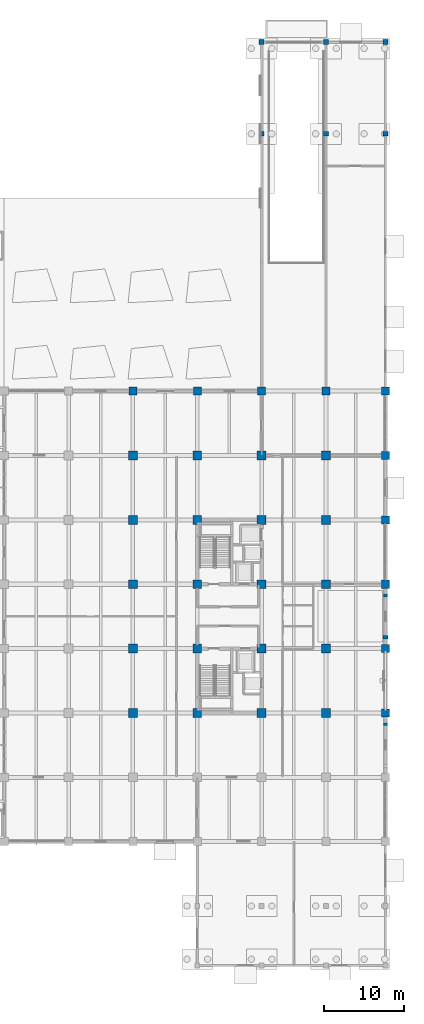
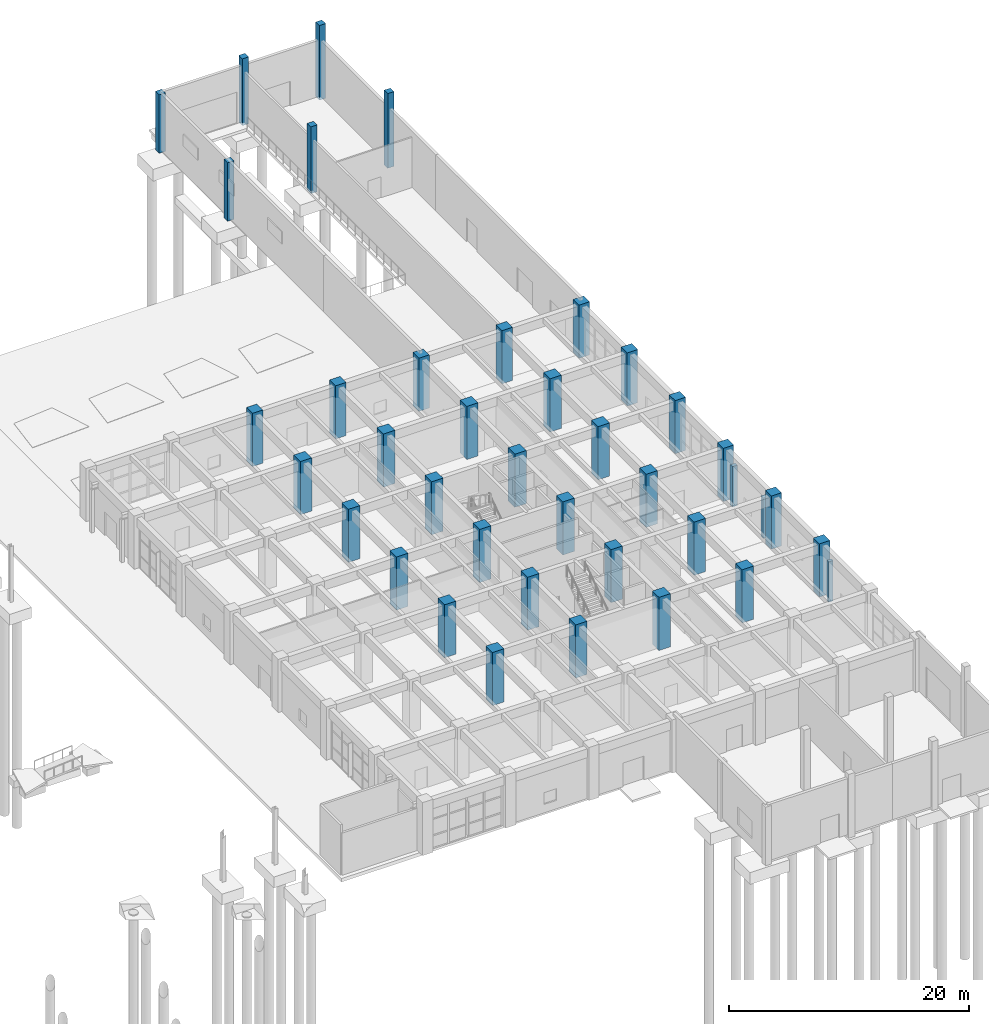
# One storey, part 17 of 90: 39 columns.
"""IFC4 building model written with IfcOpenShell, lengths in metres."""

from ifc_helpers import new_model, si_unit, direction, frame, origin, origin_2d, place, context, subcontext, project, spatial, rectangle, extrude, material, material_profile, profile_set, type_object, element, save


model = new_model("IFC4")

# Units and contexts
model_context = context("Model", 3, precision=1e-05, world=origin(), true_north=direction((0.0, 1.0)))
body_context = subcontext(model_context, "Body", "Model", "MODEL_VIEW")
ifc_project = project(units=[si_unit("LENGTHUNIT", "METRE"), si_unit("AREAUNIT", "SQUARE_METRE"), si_unit("VOLUMEUNIT", "CUBIC_METRE"), si_unit("PLANEANGLEUNIT", "RADIAN"), si_unit("MASSUNIT", "GRAM", prefix="KILO")], contexts=[model_context])

# Site, building, storey
site_placement = place(None, origin())
site = spatial("IfcSite", under=ifc_project, at=site_placement, CompositionType="ELEMENT")
building_placement = place(site_placement, origin())
building = spatial("IfcBuilding", under=site, at=building_placement, Name="Canggui Botanical Conservatory", CompositionType="ELEMENT")
storey_placement = place(building_placement, origin())
storey = spatial("IfcBuildingStorey", under=building, at=storey_placement, Name="L01", CompositionType="ELEMENT", Elevation=0.0)

# Columns
ifc_material_1 = material(Name="Concrete C50", Category="concrete")
ifc_material_profile_1 = material_profile(ifc_material_1, rectangle(XDim=1.10009765625, YDim=1.10009765625, at=origin_2d()), Name="RC 1100x1100")
ifc_profile_set_1 = profile_set([ifc_material_profile_1], Name="Concrete C50")
column_type_1 = type_object("IfcColumnType", Name="COL-KZ01", PredefinedType="COLUMN", material=ifc_profile_set_1)
for number, where, z_axis, x_axis, name in (
    (1, (146.0, 42.0, 0.0), (0.0, 0.0, 1.0), (1.0, 0.0, 0.0), "Tower RC Column L01 (146,42)"),
    (2, (146.0, 50.0, 0.0), (0.0, 0.0, 1.0), (1.0, 0.0, 0.0), "Tower RC Column L01 (146,50)"),
    (3, (146.0, 58.0, 0.0), (0.0, 0.0, 1.0), (1.0, 0.0, 0.0), "Tower RC Column L01 (146,58)"),
    (4, (146.0, 66.0, 0.0), (0.0, 0.0, 1.0), (1.0, 0.0, 0.0), "Tower RC Column L01 (146,66)"),
    (5, (146.0, 74.0, 0.0), (0.0, 0.0, 1.0), (1.0, 0.0, 0.0), "Tower RC Column L01 (146,74)"),
    (6, (154.0, 42.0, 0.0), (0.0, 0.0, 1.0), (1.0, 0.0, 0.0), "Tower RC Column L01 (154,42)"),
    (7, (154.0, 50.0, 0.0), (0.0, 0.0, 1.0), (1.0, 0.0, 0.0), "Tower RC Column L01 (154,50)"),
    (8, (154.0, 58.0, 0.0), (0.0, 0.0, 1.0), (1.0, 0.0, 0.0), "Tower RC Column L01 (154,58)"),
    (9, (154.0, 66.0, 0.0), (0.0, 0.0, 1.0), (1.0, 0.0, 0.0), "Tower RC Column L01 (154,66)"),
    (10, (154.0, 74.0, 0.0), (0.0, 0.0, 1.0), (1.0, 0.0, 0.0), "Tower RC Column L01 (154,74)"),
    (11, (162.0, 42.0, 0.0), (0.0, 0.0, 1.0), (1.0, 0.0, 0.0), "Tower RC Column L01 (162,42)"),
    (12, (162.0, 50.0, 0.0), (0.0, 0.0, 1.0), (1.0, 0.0, 0.0), "Tower RC Column L01 (162,50)"),
    (13, (162.0, 58.0, 0.0), (0.0, 0.0, 1.0), (1.0, 0.0, 0.0), "Tower RC Column L01 (162,58)"),
    (14, (162.0, 66.0, 0.0), (0.0, 0.0, 1.0), (1.0, 0.0, 0.0), "Tower RC Column L01 (162,66)"),
    (15, (162.0, 74.0, 0.0), (0.0, 0.0, 1.0), (1.0, 0.0, 0.0), "Tower RC Column L01 (162,74)"),
    (16, (170.0, 42.0, 0.0), (0.0, 0.0, 1.0), (1.0, 0.0, 0.0), "Tower RC Column L01 (170,42)"),
    (17, (170.0, 50.0, 0.0), (0.0, 0.0, 1.0), (1.0, 0.0, 0.0), "Tower RC Column L01 (170,50)"),
    (18, (170.0, 58.0, 0.0), (0.0, 0.0, 1.0), (1.0, 0.0, 0.0), "Tower RC Column L01 (170,58)"),
    (19, (170.0, 66.0, 0.0), (0.0, 0.0, 1.0), (1.0, 0.0, 0.0), "Tower RC Column L01 (170,66)"),
    (20, (170.0, 74.0, 0.0), (0.0, 0.0, 1.0), (1.0, 0.0, 0.0), "Tower RC Column L01 (170,74)"),
):
    element("IfcColumn", number, at=place(storey_placement, frame(where, z_axis=z_axis, x_axis=x_axis)), inside=storey, type_object=column_type_1, Name=name, PredefinedType="COLUMN", context=body_context, shape_type="SweptSolid", body=[
        extrude(rectangle(XDim=1.10009765625, YDim=1.10009765625, at=origin_2d()), origin(), (0.0, 0.0, 1.0), 5.39990234375),
    ])
ifc_material_profile_2 = material_profile(ifc_material_1, rectangle(XDim=1.0, YDim=1.0, at=origin_2d()), Name="RC 1000x1000")
ifc_profile_set_2 = profile_set([ifc_material_profile_2], Name="Concrete C50")
column_type_2 = type_object("IfcColumnType", Name="COL-KZ03", PredefinedType="COLUMN", material=ifc_profile_set_2)
for number, where, z_axis, x_axis, name in (
    (21, (146.0, 82.0, 0.0), (0.0, 0.0, 1.0), (1.0, 0.0, 0.0), "Tower RC Column L01 (146,82)"),
    (22, (154.0, 82.0, 0.0), (0.0, 0.0, 1.0), (1.0, 0.0, 0.0), "Tower RC Column L01 (154,82)"),
    (23, (162.0, 82.0, 0.0), (0.0, 0.0, 1.0), (1.0, 0.0, 0.0), "Tower RC Column L01 (162,82)"),
    (24, (170.0, 82.0, 0.0), (0.0, 0.0, 1.0), (1.0, 0.0, 0.0), "Tower RC Column L01 (170,82)"),
    (25, (177.39990234375, 42.0, 0.0), (0.0, 0.0, 1.0), (1.0, 0.0, 0.0), "Tower RC Column L01 (178,42)"),
    (26, (177.39990234375, 50.0, 0.0), (0.0, 0.0, 1.0), (1.0, 0.0, 0.0), "Tower RC Column L01 (178,50)"),
    (27, (177.39990234375, 58.0, 0.0), (0.0, 0.0, 1.0), (1.0, 0.0, 0.0), "Tower RC Column L01 (178,58)"),
    (28, (177.39990234375, 66.0, 0.0), (0.0, 0.0, 1.0), (1.0, 0.0, 0.0), "Tower RC Column L01 (178,66)"),
    (29, (177.39990234375, 74.0, 0.0), (0.0, 0.0, 1.0), (1.0, 0.0, 0.0), "Tower RC Column L01 (178,74)"),
    (30, (177.39990234375, 82.0, 0.0), (0.0, 0.0, 1.0), (1.0, 0.0, 0.0), "Tower RC Column L01 (178,82)"),
):
    element("IfcColumn", number, at=place(storey_placement, frame(where, z_axis=z_axis, x_axis=x_axis)), inside=storey, type_object=column_type_2, Name=name, PredefinedType="COLUMN", context=body_context, shape_type="SweptSolid", body=[
        extrude(rectangle(XDim=1.0, YDim=1.0, at=origin_2d()), origin(), (0.0, 0.0, 1.0), 5.39990234375),
    ])
ifc_material_2 = material(Name="Concrete C35", Category="concrete")
ifc_material_profile_3 = material_profile(ifc_material_2, rectangle(XDim=0.60009765625, YDim=0.60009765625, at=origin_2d()), Name="RC 600x600")
ifc_profile_set_3 = profile_set([ifc_material_profile_3], Name="Concrete C35")
column_type_3 = type_object("IfcColumnType", Name="COL-KZ11", PredefinedType="COLUMN", material=ifc_profile_set_3)
column_1_placement = place(storey_placement, frame((162.0, 114.0, -0.280029296875), z_axis=(0.0, 0.0, 1.0), x_axis=(1.0, 0.0, 0.0)))
element("IfcColumn", 31, at=column_1_placement, inside=storey, type_object=column_type_3, Name="East Wing RC Column (162,114)", PredefinedType="COLUMN", context=body_context, shape_type="SweptSolid", body=[
    extrude(rectangle(XDim=0.60009765625, YDim=0.60009765625, at=origin_2d()), origin(), (0.0, 0.0, 1.0), 5.949951171875),
])
column_2_placement = place(storey_placement, frame((170.0, 114.0, -0.280029296875), z_axis=(0.0, 0.0, 1.0), x_axis=(1.0, 0.0, 0.0)))
element("IfcColumn", 32, at=column_2_placement, inside=storey, type_object=column_type_3, Name="East Wing RC Column (170,114)", PredefinedType="COLUMN", context=body_context, shape_type="SweptSolid", body=[
    extrude(rectangle(XDim=0.60009765625, YDim=0.60009765625, at=origin_2d()), origin(), (0.0, 0.0, 1.0), 6.800048828125),
])
column_3_placement = place(storey_placement, frame((177.39990234375, 114.0, -0.280029296875), z_axis=(0.0, 0.0, 1.0), x_axis=(1.0, 0.0, 0.0)))
element("IfcColumn", 33, at=column_3_placement, inside=storey, type_object=column_type_3, Name="East Wing RC Column (177,114)", PredefinedType="COLUMN", context=body_context, shape_type="SweptSolid", body=[
    extrude(rectangle(XDim=0.60009765625, YDim=0.60009765625, at=origin_2d()), origin(), (0.0, 0.0, 1.0), 7.58642578125),
])
column_4_placement = place(storey_placement, frame((162.0, 125.39990234375, -0.280029296875), z_axis=(0.0, 0.0, 1.0), x_axis=(1.0, 0.0, 0.0)))
element("IfcColumn", 34, at=column_4_placement, inside=storey, type_object=column_type_3, Name="East Wing RC Column (162,125)", PredefinedType="COLUMN", context=body_context, shape_type="SweptSolid", body=[
    extrude(rectangle(XDim=0.60009765625, YDim=0.60009765625, at=origin_2d()), origin(), (0.0, 0.0, 1.0), 5.949951171875),
])
column_5_placement = place(storey_placement, frame((170.0, 125.39990234375, -0.280029296875), z_axis=(0.0, 0.0, 1.0), x_axis=(1.0, 0.0, 0.0)))
element("IfcColumn", 35, at=column_5_placement, inside=storey, type_object=column_type_3, Name="East Wing RC Column (170,125)", PredefinedType="COLUMN", context=body_context, shape_type="SweptSolid", body=[
    extrude(rectangle(XDim=0.60009765625, YDim=0.60009765625, at=origin_2d()), origin(), (0.0, 0.0, 1.0), 6.800048828125),
])
column_6_placement = place(storey_placement, frame((177.39990234375, 125.39990234375, -0.280029296875), z_axis=(0.0, 0.0, 1.0), x_axis=(1.0, 0.0, 0.0)))
element("IfcColumn", 36, at=column_6_placement, inside=storey, type_object=column_type_3, Name="East Wing RC Column (177,125)", PredefinedType="COLUMN", context=body_context, shape_type="SweptSolid", body=[
    extrude(rectangle(XDim=0.60009765625, YDim=0.60009765625, at=origin_2d()), origin(), (0.0, 0.0, 1.0), 7.58642578125),
])
ifc_material_profile_4 = material_profile(ifc_material_2, rectangle(XDim=0.39990234375, YDim=0.60009765625, at=origin_2d()), Name="RC 400x600")
ifc_profile_set_4 = profile_set([ifc_material_profile_4], Name="Concrete C35")
column_type_4 = type_object("IfcColumnType", Name="COL-PIL01", PredefinedType="PILASTER", material=ifc_profile_set_4)
column_7_placement = place(storey_placement, frame((177.39990234375, 51.39990234375, 0.0), z_axis=(0.0, 0.0, 1.0), x_axis=(0.0, 1.0, 0.0)))
element("IfcColumn", 37, at=column_7_placement, inside=storey, type_object=column_type_4, Name="Tower East Colonnade Pilaster L01 BZ-03", PredefinedType="PILASTER", context=body_context, shape_type="SweptSolid", body=[
    extrude(rectangle(XDim=0.39990234375, YDim=0.60009765625, at=origin_2d()), origin(), (0.0, 0.0, 1.0), 4.10009765625),
])
ifc_material_profile_5 = material_profile(ifc_material_2, rectangle(XDim=0.35009765625, YDim=0.5, at=origin_2d()), Name="RC 350x500")
ifc_profile_set_5 = profile_set([ifc_material_profile_5], Name="Concrete C35")
column_type_5 = type_object("IfcColumnType", Name="COL-PIL02", PredefinedType="PILASTER", material=ifc_profile_set_5)
column_8_placement = place(storey_placement, frame((177.39990234375, 56.60009765625, 0.0), z_axis=(0.0, 0.0, 1.0), x_axis=(0.0, 1.0, 0.0)))
element("IfcColumn", 38, at=column_8_placement, inside=storey, type_object=column_type_5, Name="Tower East Colonnade Pilaster L01 BZ-04", PredefinedType="PILASTER", context=body_context, shape_type="SweptSolid", body=[
    extrude(rectangle(XDim=0.35009765625, YDim=0.5, at=origin_2d()), origin(), (0.0, 0.0, 1.0), 4.10009765625),
])
ifc_material_profile_6 = material_profile(ifc_material_2, rectangle(XDim=0.300048828125, YDim=0.449951171875, at=origin_2d()), Name="RC 300x450")
ifc_profile_set_6 = profile_set([ifc_material_profile_6], Name="Concrete C35")
column_type_6 = type_object("IfcColumnType", Name="COL-PIL03", PredefinedType="PILASTER", material=ifc_profile_set_6)
column_9_placement = place(storey_placement, frame((177.39990234375, 40.60009765625, 0.0), z_axis=(0.0, 0.0, 1.0), x_axis=(0.0, 1.0, 0.0)))
element("IfcColumn", 39, at=column_9_placement, inside=storey, type_object=column_type_6, Name="Tower East Colonnade Pilaster L01 BZ-02", PredefinedType="PILASTER", context=body_context, shape_type="SweptSolid", body=[
    extrude(rectangle(XDim=0.300048828125, YDim=0.449951171875, at=origin_2d()), origin(), (0.0, 0.0, 1.0), 4.10009765625),
])

save(model, "model.ifc")
